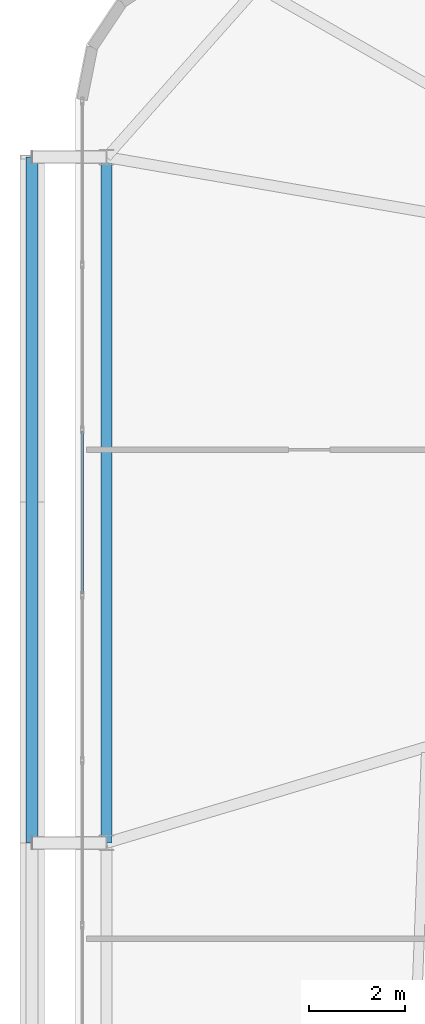
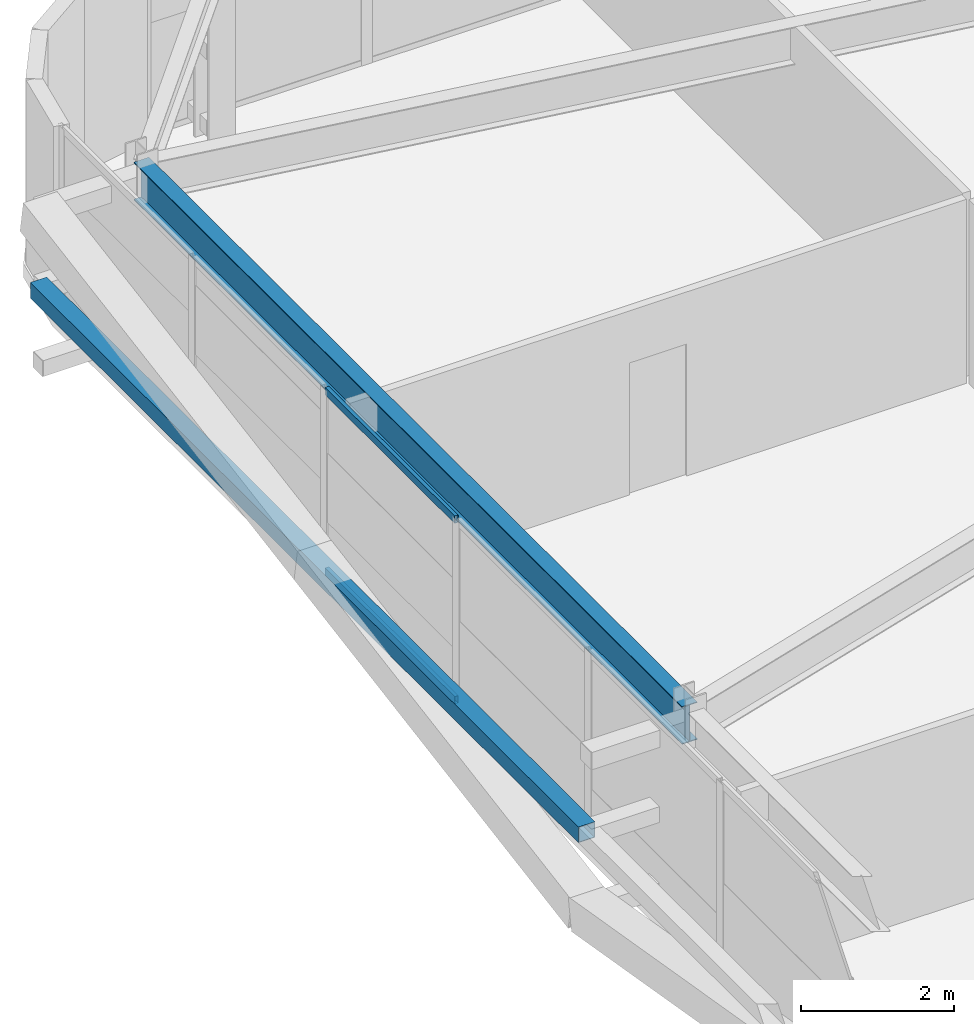
# One storey, part 17 of 58: 3 members, 1 beam, 1 element without a shape of its own.
"""IFC4 building model written with IfcOpenShell, lengths in metres."""

from ifc_helpers import new_model, si_unit, direction, frame, origin, origin_2d, place, context, subcontext, project, spatial, hollow_rectangle, i_section, extrude, source, transform, mapped, material, layer, layer_set, material_profile, profile_set, type_object, element, aggregate, save


model = new_model("IFC4")

# Units and contexts
model_context = context("Model", 3, precision=1e-05, world=origin(), true_north=direction((0.0, 1.0)))
body_context = subcontext(model_context, "Body", "Model", "MODEL_VIEW")
ifc_project = project(units=[si_unit("LENGTHUNIT", "METRE"), si_unit("AREAUNIT", "SQUARE_METRE"), si_unit("VOLUMEUNIT", "CUBIC_METRE"), si_unit("PLANEANGLEUNIT", "RADIAN"), si_unit("MASSUNIT", "GRAM", prefix="KILO")], contexts=[model_context])

# Site, building, storey
site_placement = place(None, origin())
site = spatial("IfcSite", under=ifc_project, at=site_placement, CompositionType="ELEMENT")
building_placement = place(site_placement, origin())
building = spatial("IfcBuilding", under=site, at=building_placement, Name="Taldren Reach Tower", CompositionType="ELEMENT")
storey_placement = place(building_placement, frame((0.0, 0.0, 51.449951171875)))
storey = spatial("IfcBuildingStorey", under=building, at=storey_placement, Name="L15", CompositionType="ELEMENT", Elevation=51.449951171875)

# Beam
ifc_material_1 = material(Name="Steel Gr 350 (350PLUS)", Category="steel")
ifc_material_profile_1 = material_profile(ifc_material_1, i_section(OverallWidth=0.22802734375, OverallDepth=0.60205078125, WebThickness=0.010498046875, FlangeThickness=0.014892578125, at=origin_2d()), Name="610UB101")
ifc_profile_set_1 = profile_set([ifc_material_profile_1], Name="Steel Gr 350 (350PLUS)")
beam_type = type_object("IfcBeamType", Name="BM-UB610B", PredefinedType="BEAM", material=ifc_profile_set_1)
shared_shape_1 = source(origin(), body_context, "Body", "SweptSolid", [
    extrude(i_section(OverallWidth=0.22802734375, OverallDepth=0.60205078125, WebThickness=0.010498046875, FlangeThickness=0.014892578125, at=origin_2d()), origin(), (0.0, 0.0, 1.0), 14.300048828125),
])
beam_placement = place(storey_placement, frame((5.64990234375, 34.300048828125, 2.629150390625), z_axis=(0.0, -1.0, 0.0), x_axis=(1.0, 0.0, 0.0)))
element("IfcBeam", 1, at=beam_placement, inside=storey, type_object=beam_type, Name="Perimeter gable girder B1 W3-W2 L15", PredefinedType="BEAM", context=body_context, shape_type="MappedRepresentation", body=[
    mapped(shared_shape_1, transform((0.0, 0.0, 0.0), scale=1.0)),
])

# Member
ifc_material_2 = material(Name="Steel Gr 350 (C350L0)", Category="steel")
ifc_material_profile_2 = material_profile(ifc_material_2, hollow_rectangle(XDim=0.25, YDim=0.25, WallThickness=0.010009765625, at=origin_2d()), Name="250x250x10.0SHS")
ifc_profile_set_2 = profile_set([ifc_material_profile_2], Name="Steel Gr 350 (C350L0)")
member_type_1 = type_object("IfcMemberType", Name="MB-POST250", PredefinedType="POST", material=ifc_profile_set_2)
shared_shape_2 = source(origin(), body_context, "Body", "SweptSolid", [
    extrude(hollow_rectangle(XDim=0.25, YDim=0.25, WallThickness=0.010009765625, at=origin_2d()), origin(), (0.0, 0.0, 1.0), 14.300048828125),
])
member_1_placement = place(storey_placement, frame((4.10009765625, 20.0, 1.43505859375), z_axis=(0.0, 1.0, 0.0), x_axis=(-1.0, 0.0, 0.0)))
element("IfcMember", 2, at=member_1_placement, inside=storey, type_object=member_type_1, Name="Exoskeleton mid-height ring chord B1-W2 L15", PredefinedType="POST", context=body_context, shape_type="MappedRepresentation", body=[
    mapped(shared_shape_2, transform((0.0, 0.0, 0.0), scale=1.0)),
])

# Curtain wall, members
ifc_material_3 = material(Name="Aluminium and Low-E Glass Unitised System", Category="aluminium")
ifc_layer = layer(ifc_material_3, 0.159912109375)
ifc_layer_set = layer_set([ifc_layer], Name="Aluminium and Low-E Glass Unitised System")
curtain_wall_type = type_object("IfcCurtainWallType", Name="CW-SYS-2", PredefinedType="NOTDEFINED", material=ifc_layer_set)
curtain_wall_placement = place(storey_placement, origin())
curtain_wall = element("IfcCurtainWall", 3, at=curtain_wall_placement, inside=storey, type_object=curtain_wall_type, Name="Unitised curtain wall CW-L15-W", PredefinedType="NOTDEFINED")
ifc_material_4 = material(Name="Anodised Aluminium 6063-T6", Category="aluminium")
ifc_material_profile_3 = material_profile(ifc_material_4, hollow_rectangle(XDim=0.054931640625, YDim=0.1201171875, WallThickness=0.0029296875, at=origin_2d()), Name="ALU-120x55x3RHS")
ifc_profile_set_3 = profile_set([ifc_material_profile_3], Name="Anodised Aluminium 6063-T6")
member_type_2 = type_object("IfcMemberType", Name="CW-TRN-135", PredefinedType="USERDEFINED", material=ifc_profile_set_3)
shared_shape_3 = source(origin(), body_context, "Body", "SweptSolid", [
    extrude(hollow_rectangle(XDim=0.054931640625, YDim=0.1201171875, WallThickness=0.0029296875, at=origin_2d()), origin(), (0.0, 0.0, 1.0), 3.37939453125),
])
member_2_placement = place(storey_placement, frame((5.139892578125, 28.57861328125, 0.027587890625), z_axis=(0.0, -1.0, 0.0), x_axis=(1.0, 0.0, 0.0)))
member_2 = element("IfcMember", 4, at=member_2_placement, type_object=member_type_2, Name="CW-2 transom 3.1", ObjectType="TRANSOM", PredefinedType="USERDEFINED", context=body_context, shape_type="MappedRepresentation", body=[
    mapped(shared_shape_3, transform((0.0, 0.0, 0.0), scale=1.0)),
])
member_3_placement = place(storey_placement, frame((5.139892578125, 28.57861328125, 2.902587890625), z_axis=(0.0, -1.0, 0.0), x_axis=(1.0, 0.0, 0.0)))
member_3 = element("IfcMember", 5, at=member_3_placement, type_object=member_type_2, Name="CW-2 transom 3.2", ObjectType="TRANSOM", PredefinedType="USERDEFINED", context=body_context, shape_type="MappedRepresentation", body=[
    mapped(shared_shape_3, transform((0.0, 0.0, 0.0), scale=1.0)),
])
aggregate(curtain_wall, [member_2, member_3])

save(model, "model.ifc")
